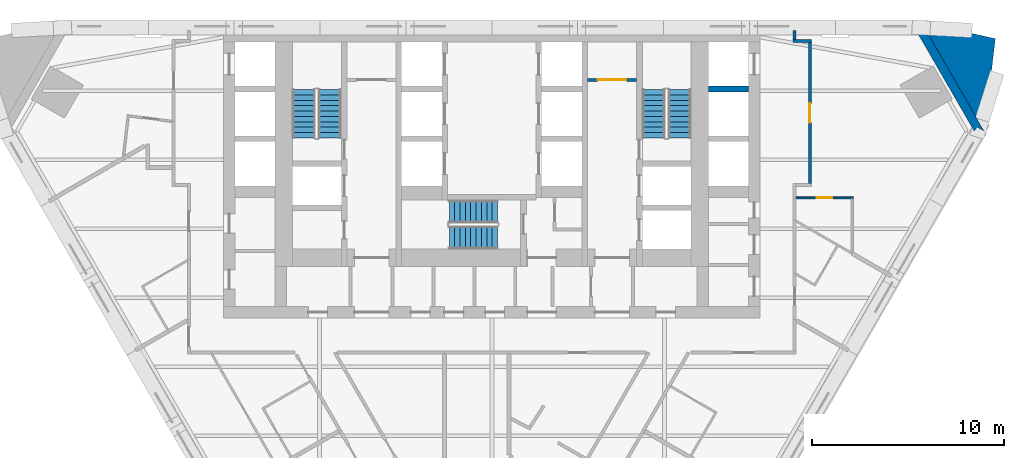
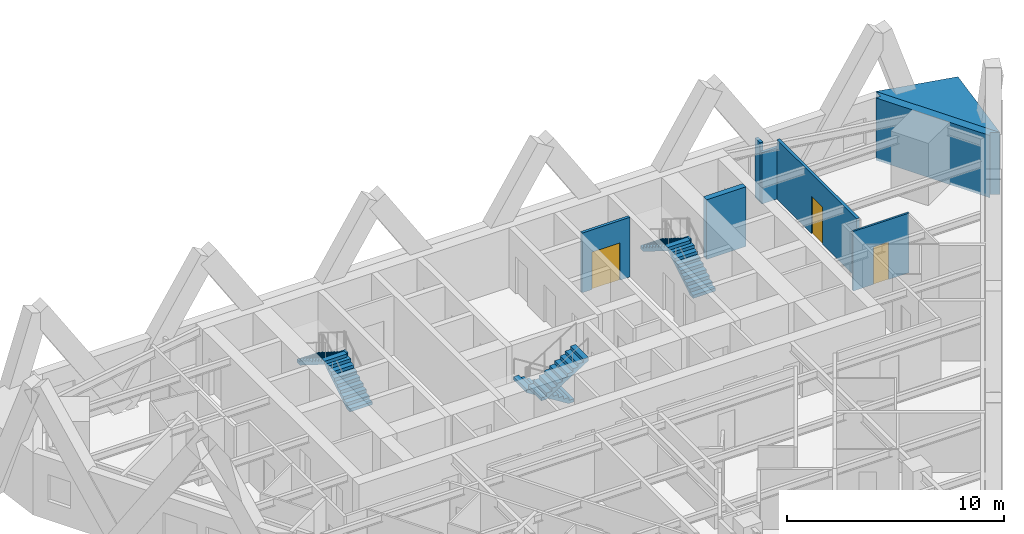
# One storey, part 10 of 12: 8 walls, 6 stair flights, 3 doors, 3 openings, 3 elements without a shape of their own.
"""IFC4 building model written with IfcOpenShell, lengths in metres."""

from ifc_helpers import new_model, si_unit, direction, frame, frame_2d, origin, place, context, subcontext, project, spatial, polyline, rectangle, outline, extrude, material, layer, layer_set, type_object, element, fill, aggregate, save


model = new_model("IFC4")

# Units and contexts
model_context = context("Model", 3, precision=1e-05, world=origin(), true_north=direction((0.0, 1.0)))
body_context = subcontext(model_context, "Body", "Model", "MODEL_VIEW")
ifc_project = project(units=[si_unit("LENGTHUNIT", "METRE"), si_unit("AREAUNIT", "SQUARE_METRE"), si_unit("VOLUMEUNIT", "CUBIC_METRE"), si_unit("PLANEANGLEUNIT", "RADIAN"), si_unit("MASSUNIT", "GRAM", prefix="KILO")], contexts=[model_context])

# Site, building, storey
site_placement = place(None, origin())
site = spatial("IfcSite", under=ifc_project, at=site_placement, CompositionType="ELEMENT")
building_placement = place(site_placement, origin())
building = spatial("IfcBuilding", under=site, at=building_placement, Name="Aloe Facet Convention Tower", CompositionType="ELEMENT")
storey_placement = place(building_placement, frame((0.0, 0.0, 70.0)))
storey = spatial("IfcBuildingStorey", under=building, at=storey_placement, Name="L16", CompositionType="ELEMENT", Elevation=70.0)

# Wall, opening, door
ifc_material_1 = material(Name="Concrete blockwork partition", Category="masonry")
ifc_layer_1 = layer(ifc_material_1, 0.14990234375)
ifc_layer_set_1 = layer_set([ifc_layer_1], Name="CR-W-PART150")
wall_type_1 = type_object("IfcWallType", Name="CR-W-PART150", PredefinedType="PARTITIONING", material=ifc_layer_set_1)
wall_1_placement = place(storey_placement, frame((85.0, 131.97509765625, 0.0), z_axis=(0.0, 0.0, 1.0), x_axis=(1.0, 0.0, 0.0)))
wall_1 = element("IfcWall", 1, at=wall_1_placement, inside=storey, type_object=wall_type_1, Name="Core partition L16-038", PredefinedType="PARTITIONING", context=body_context, shape_type="SweptSolid", body=[
    extrude(rectangle(XDim=2.550048828125, YDim=0.14990234375, at=frame_2d((1.27490234375, 0.0))), origin(), (0.0, 0.0, 1.0), 3.35009765625),
])
opening_1_placement = place(wall_1_placement, frame((0.52490234375, 0.0, 0.0)))
opening_1 = element("IfcOpeningElement", 2, at=opening_1_placement, cuts=wall_1, Name="Opening L16-CD21", PredefinedType="OPENING", context=body_context, shape_type="SweptSolid", body=[
    extrude(rectangle(XDim=1.5, YDim=2.10009765625, at=frame_2d((0.75, 1.050048828125))), frame((0.0, 0.0849609375, 0.0), z_axis=(0.0, -1.0, 0.0), x_axis=(1.0, 0.0, 0.0)), (0.0, 0.0, 1.0), 0.169921875),
])
ifc_material_2 = material(Name="Steel fire-resisting door set FD60", Category="steel")
door_type_1 = type_object("IfcDoorType", Name="CR-D-REFUGE-1500-FD60-DD", OperationType="DOUBLE_DOOR_DOUBLE_SWING", PredefinedType="DOOR", material=ifc_material_2)
door_1_placement = place(opening_1_placement, origin())
door_1 = element("IfcDoor", 3, at=door_1_placement, inside=storey, type_object=door_type_1, Name="Core door L16-CD21", OperationType="DOUBLE_DOOR_DOUBLE_SWING", OverallHeight=2.10009765625, OverallWidth=1.5, PredefinedType="DOOR", context=body_context, shape_type="SweptSolid", body=[
    extrude(rectangle(XDim=1.5, YDim=2.10009765625, at=frame_2d((0.75, 1.050048828125))), frame((0.0, 0.02490234375, 0.0), z_axis=(0.0, -1.0, 0.0), x_axis=(1.0, 0.0, 0.0)), (0.0, 0.0, 1.0), 0.050048828125),
])
fill(opening_1, door_1)

# Walls
ifc_material_3 = material(Name="Concrete C80/95", Category="concrete")
ifc_layer_2 = layer(ifc_material_3, 0.300048828125)
ifc_layer_set_2 = layer_set([ifc_layer_2], Name="CR-W-RC300-C8095")
wall_type_2 = type_object("IfcWallType", Name="CR-W-RC300-C8095", PredefinedType="SOLIDWALL", material=ifc_layer_set_2)
wall_2_placement = place(storey_placement, frame((91.300048828125, 131.5, 0.0), z_axis=(0.0, 0.0, 1.0), x_axis=(1.0, 0.0, 0.0)))
element("IfcWall", 4, at=wall_2_placement, inside=storey, type_object=wall_type_2, Name="Core wall L16-048", PredefinedType="SOLIDWALL", context=body_context, shape_type="SweptSolid", body=[
    extrude(rectangle(XDim=2.099853515625, YDim=0.300048828125, at=frame_2d((1.0498046875, 0.0))), origin(), (0.0, 0.0, 1.0), 3.35009765625),
])
ifc_material_4 = material(Name="Precast concrete C40/50", Category="concrete")
ifc_layer_3 = layer(ifc_material_4, 0.449951171875)
ifc_layer_set_3 = layer_set([ifc_layer_3], Name="EV-WALL-PIER")
wall_type_3 = type_object("IfcWallType", Name="EV-WALL-PIER", PredefinedType="SOLIDWALL", material=ifc_layer_set_3)
wall_3_placement = place(storey_placement, frame((0.0, 0.0, -0.14990234375)))
element("IfcWall", 5, at=wall_3_placement, inside=storey, type_object=wall_type_3, Name="EP-L16-C", PredefinedType="SOLIDWALL", context=body_context, shape_type="SweptSolid", body=[
    extrude(outline(polyline([(105.699951171875, 129.2841796875), (105.310302734375, 129.50927734375), (105.180419921875, 129.2841796875), (102.14013671875, 134.550048828125), (102.39990234375, 134.550048828125), (102.39990234375, 135.0), (105.699951171875, 129.2841796875)])), origin(), (0.0, 0.0, 1.0), 3.5),
])
ifc_material_5 = material(Name="Precast concrete C40/50", Category="concrete")
ifc_layer_4 = layer(ifc_material_5, 3.947998046875)
ifc_layer_set_4 = layer_set([ifc_layer_4], Name="EV-WALL-SPINE")
wall_type_4 = type_object("IfcWallType", Name="EV-WALL-SPINE", PredefinedType="SOLIDWALL", material=ifc_layer_set_4)
wall_4_placement = place(storey_placement, frame((0.0, 0.0, -0.14990234375)))
element("IfcWall", 6, at=wall_4_placement, inside=storey, type_object=wall_type_4, Name="SP-NE-L16", PredefinedType="SOLIDWALL", context=body_context, shape_type="SweptSolid", body=[
    extrude(outline(polyline([(105.699951171875, 129.2841796875), (106.270263671875, 134.128173828125), (102.39990234375, 135.0), (105.699951171875, 129.2841796875)])), origin(), (0.0, 0.0, 1.0), 3.5),
])
ifc_material_6 = material(Name="Gypsum board partition on steel studs", Category="steel")
ifc_layer_5 = layer(ifc_material_6, 0.14990234375)
ifc_layer_set_5 = layer_set([ifc_layer_5], Name="IN-W-CORR")
wall_type_5 = type_object("IfcWallType", Name="IN-W-CORR", PredefinedType="PARTITIONING", material=ifc_layer_set_5)
wall_5_placement = place(storey_placement, frame((95.72509765625, 134.0, 0.0), z_axis=(0.0, 0.0, 1.0), x_axis=(1.0, 0.0, 0.0)))
element("IfcWall", 7, at=wall_5_placement, inside=storey, type_object=wall_type_5, Name="Partition L16-W111", PredefinedType="PARTITIONING", context=body_context, shape_type="SweptSolid", body=[
    extrude(rectangle(XDim=0.949462890625, YDim=0.14990234375, at=frame_2d((0.474609375, 0.0))), origin(), (0.0, 0.0, 1.0), 2.88671875),
])

# Wall, opening, door
wall_6_placement = place(storey_placement, frame((96.599609375, 133.925048828125, 0.0), z_axis=(0.0, 0.0, 1.0), x_axis=(6.643194e-05, -0.999999997793, 0.0)))
wall_6 = element("IfcWall", 8, at=wall_6_placement, inside=storey, type_object=wall_type_5, Name="Partition L16-W112", PredefinedType="PARTITIONING", context=body_context, shape_type="SweptSolid", body=[
    extrude(rectangle(XDim=7.35009765625, YDim=0.14990234375, at=frame_2d((3.675048828125, 0.0))), origin(), (0.0, 0.0, 1.0), 3.35009765625),
])
opening_2_placement = place(wall_6_placement, frame((3.175048828125, 0.0, 0.0)))
opening_2 = element("IfcOpeningElement", 9, at=opening_2_placement, cuts=wall_6, Name="Opening L16-001", PredefinedType="OPENING", context=body_context, shape_type="SweptSolid", body=[
    extrude(rectangle(XDim=1.0, YDim=2.10009765625, at=frame_2d((0.5, 1.050048828125))), frame((0.0, 0.0849609375, 0.0), z_axis=(0.0, -1.0, 0.0), x_axis=(1.0, 0.0, 0.0)), (0.0, 0.0, 1.0), 0.169921875),
])
ifc_material_7 = material(Name="Hardwood flush door FD30S", Category="wood")
door_type_2 = type_object("IfcDoorType", Name="IN-D-WIDE", OperationType="SINGLE_SWING_LEFT", PredefinedType="DOOR", material=ifc_material_7)
door_2_placement = place(opening_2_placement, origin())
door_2 = element("IfcDoor", 10, at=door_2_placement, inside=storey, type_object=door_type_2, Name="Door L16-001", OperationType="SINGLE_SWING_LEFT", OverallHeight=2.10009765625, OverallWidth=1.0, PredefinedType="DOOR", context=body_context, shape_type="SweptSolid", body=[
    extrude(rectangle(XDim=1.0, YDim=2.10009765625, at=frame_2d((0.5, 1.050048828125))), frame((0.0, 0.02490234375, 0.0), z_axis=(0.0, -1.0, 0.0), x_axis=(1.0, 0.0, 0.0)), (0.0, 0.0, 1.0), 0.050048828125),
])
fill(opening_2, door_2)

# Wall
wall_7_placement = place(storey_placement, frame((95.800048828125, 134.074951171875, 0.0), z_axis=(0.0, 0.0, 1.0), x_axis=(0.0, 1.0, 0.0)))
element("IfcWall", 11, at=wall_7_placement, inside=storey, type_object=wall_type_5, Name="Partition L16-W113", PredefinedType="PARTITIONING", context=body_context, shape_type="SweptSolid", body=[
    extrude(rectangle(XDim=0.465087890625, YDim=0.14990234375, at=frame_2d((0.232421875, 0.0))), origin(), (0.0, 0.0, 1.0), 3.35009765625),
])

# Wall, opening, door
ifc_material_8 = material(Name="Gypsum board partition on steel studs", Category="steel")
ifc_layer_6 = layer(ifc_material_8, 0.10009765625)
ifc_layer_set_6 = layer_set([ifc_layer_6], Name="IN-W-PART")
wall_type_6 = type_object("IfcWallType", Name="IN-W-PART", PredefinedType="PARTITIONING", material=ifc_layer_set_6)
wall_8_placement = place(storey_placement, frame((95.875, 125.82177734375, 0.0), z_axis=(0.0, 0.0, 1.0), x_axis=(1.0, 0.0, 0.0)))
wall_8 = element("IfcWall", 12, at=wall_8_placement, inside=storey, type_object=wall_type_6, Name="Partition L16-W096", PredefinedType="PARTITIONING", context=body_context, shape_type="SweptSolid", body=[
    extrude(rectangle(XDim=2.97509765625, YDim=0.10009765625, at=frame_2d((1.487548828125, 0.0))), origin(), (0.0, 0.0, 1.0), 3.35009765625),
])
opening_3_placement = place(wall_8_placement, frame((1.08740234375, 0.0, 0.0)))
opening_3 = element("IfcOpeningElement", 13, at=opening_3_placement, cuts=wall_8, Name="Opening L16-015", PredefinedType="OPENING", context=body_context, shape_type="SweptSolid", body=[
    extrude(rectangle(XDim=0.800048828125, YDim=2.10009765625, at=frame_2d((0.39990234375, 1.050048828125))), frame((0.0, 0.06005859375, 0.0), z_axis=(0.0, -1.0, 0.0), x_axis=(1.0, 0.0, 0.0)), (0.0, 0.0, 1.0), 0.1201171875),
])
ifc_material_9 = material(Name="Timber flush door", Category="wood")
door_type_3 = type_object("IfcDoorType", Name="IN-D-BATH", OperationType="SINGLE_SWING_LEFT", PredefinedType="DOOR", material=ifc_material_9)
door_3_placement = place(opening_3_placement, origin())
door_3 = element("IfcDoor", 14, at=door_3_placement, inside=storey, type_object=door_type_3, Name="Door L16-015", OperationType="SINGLE_SWING_LEFT", OverallHeight=2.10009765625, OverallWidth=0.800048828125, PredefinedType="DOOR", context=body_context, shape_type="SweptSolid", body=[
    extrude(rectangle(XDim=0.800048828125, YDim=2.10009765625, at=frame_2d((0.39990234375, 1.050048828125))), frame((0.0, 0.02490234375, 0.0), z_axis=(0.0, -1.0, 0.0), x_axis=(1.0, 0.0, 0.0)), (0.0, 0.0, 1.0), 0.050048828125),
])
fill(opening_3, door_3)

# Stair, stair flights
ifc_material_10 = material(Name="Concrete C50/60", Category="concrete")
stair_type = type_object("IfcStairType", Name="CR-ST-20R", PredefinedType="HALF_TURN_STAIR", material=ifc_material_10)
stair_1_placement = place(storey_placement, origin())
stair_1 = element("IfcStair", 15, at=stair_1_placement, inside=storey, type_object=stair_type, Name="L16 Protected exit stair ST1", PredefinedType="HALF_TURN_STAIR")
ifc_material_11 = material(Name="Concrete C50/60", Category="concrete")
stair_flight_type = type_object("IfcStairFlightType", Name="CR-SFL-20R", PredefinedType="STRAIGHT", material=ifc_material_11)
stair_flight_1_placement = place(storey_placement, frame((71.550048828125, 128.949951171875, 0.0), z_axis=(0.0, 0.0, 1.0), x_axis=(0.0, 1.0, 0.0)))
stair_flight_1 = element("IfcStairFlight", 16, at=stair_flight_1_placement, type_object=stair_flight_type, Name="ST1 flight 1", NumberOfRisers=10, NumberOfTreads=9, PredefinedType="STRAIGHT", RiserHeight=0.175, TreadLength=0.28, context=body_context, shape_type="SweptSolid", body=[
    extrude(outline(polyline([(0.0, 0.0), (0.0, 0.175048828125), (0.280029296875, 0.175048828125), (0.280029296875, 0.35009765625), (0.56005859375, 0.35009765625), (0.56005859375, 0.52490234375), (0.840087890625, 0.52490234375), (0.840087890625, 0.699951171875), (1.1201171875, 0.699951171875), (1.1201171875, 0.875), (1.39990234375, 0.875), (1.39990234375, 1.050048828125), (1.679931640625, 1.050048828125), (1.679931640625, 1.22509765625), (1.9599609375, 1.22509765625), (1.9599609375, 1.39990234375), (2.239990234375, 1.39990234375), (2.239990234375, 1.574951171875), (2.52001953125, 1.574951171875), (2.52001953125, 1.75), (2.52001953125, 1.398193359375), (0.28271484375, 0.0), (0.0, 0.0)])), frame((0.0, 0.60009765625, 0.0), z_axis=(0.0, -1.0, 0.0), x_axis=(1.0, 0.0, 0.0)), (0.0, 0.0, 1.0), 1.199951171875),
])
stair_flight_2_placement = place(storey_placement, frame((70.199951171875, 131.469970703125, 1.75), z_axis=(0.0, 0.0, 1.0), x_axis=(0.0, -1.0, 0.0)))
stair_flight_2 = element("IfcStairFlight", 17, at=stair_flight_2_placement, type_object=stair_flight_type, Name="ST1 flight 2", NumberOfRisers=10, NumberOfTreads=9, PredefinedType="STRAIGHT", RiserHeight=0.175, TreadLength=0.28, context=body_context, shape_type="SweptSolid", body=[
    extrude(outline(polyline([(0.0, 0.0), (0.0, 0.175048828125), (0.280029296875, 0.175048828125), (0.280029296875, 0.35009765625), (0.56005859375, 0.35009765625), (0.56005859375, 0.52490234375), (0.840087890625, 0.52490234375), (0.840087890625, 0.699951171875), (1.1201171875, 0.699951171875), (1.1201171875, 0.875), (1.39990234375, 0.875), (1.39990234375, 1.050048828125), (1.679931640625, 1.050048828125), (1.679931640625, 1.22509765625), (1.9599609375, 1.22509765625), (1.9599609375, 1.39990234375), (2.239990234375, 1.39990234375), (2.239990234375, 1.574951171875), (2.52001953125, 1.574951171875), (2.52001953125, 1.75), (2.52001953125, 1.398193359375), (0.28271484375, 0.0), (0.0, 0.0)])), frame((0.0, 0.60009765625, 0.0), z_axis=(0.0, -1.0, 0.0), x_axis=(1.0, 0.0, 0.0)), (0.0, 0.0, 1.0), 1.199951171875),
])
aggregate(stair_1, [stair_flight_1, stair_flight_2])

stair_2_placement = place(storey_placement, origin())
stair_2 = element("IfcStair", 18, at=stair_2_placement, inside=storey, type_object=stair_type, Name="L16 Protected exit stair ST2", PredefinedType="HALF_TURN_STAIR")
stair_flight_3_placement = place(storey_placement, frame((89.800048828125, 128.949951171875, 0.0), z_axis=(0.0, 0.0, 1.0), x_axis=(0.0, 1.0, 0.0)))
stair_flight_3 = element("IfcStairFlight", 19, at=stair_flight_3_placement, type_object=stair_flight_type, Name="ST2 flight 1", NumberOfRisers=10, NumberOfTreads=9, PredefinedType="STRAIGHT", RiserHeight=0.175, TreadLength=0.28, context=body_context, shape_type="SweptSolid", body=[
    extrude(outline(polyline([(0.0, 0.0), (0.0, 0.175048828125), (0.280029296875, 0.175048828125), (0.280029296875, 0.35009765625), (0.56005859375, 0.35009765625), (0.56005859375, 0.52490234375), (0.840087890625, 0.52490234375), (0.840087890625, 0.699951171875), (1.1201171875, 0.699951171875), (1.1201171875, 0.875), (1.39990234375, 0.875), (1.39990234375, 1.050048828125), (1.679931640625, 1.050048828125), (1.679931640625, 1.22509765625), (1.9599609375, 1.22509765625), (1.9599609375, 1.39990234375), (2.239990234375, 1.39990234375), (2.239990234375, 1.574951171875), (2.52001953125, 1.574951171875), (2.52001953125, 1.75), (2.52001953125, 1.398193359375), (0.28271484375, 0.0), (0.0, 0.0)])), frame((0.0, 0.60009765625, 0.0), z_axis=(0.0, -1.0, 0.0), x_axis=(1.0, 0.0, 0.0)), (0.0, 0.0, 1.0), 1.199951171875),
])
stair_flight_4_placement = place(storey_placement, frame((88.449951171875, 131.469970703125, 1.75), z_axis=(0.0, 0.0, 1.0), x_axis=(0.0, -1.0, 0.0)))
stair_flight_4 = element("IfcStairFlight", 20, at=stair_flight_4_placement, type_object=stair_flight_type, Name="ST2 flight 2", NumberOfRisers=10, NumberOfTreads=9, PredefinedType="STRAIGHT", RiserHeight=0.175, TreadLength=0.28, context=body_context, shape_type="SweptSolid", body=[
    extrude(outline(polyline([(0.0, 0.0), (0.0, 0.175048828125), (0.280029296875, 0.175048828125), (0.280029296875, 0.35009765625), (0.56005859375, 0.35009765625), (0.56005859375, 0.52490234375), (0.840087890625, 0.52490234375), (0.840087890625, 0.699951171875), (1.1201171875, 0.699951171875), (1.1201171875, 0.875), (1.39990234375, 0.875), (1.39990234375, 1.050048828125), (1.679931640625, 1.050048828125), (1.679931640625, 1.22509765625), (1.9599609375, 1.22509765625), (1.9599609375, 1.39990234375), (2.239990234375, 1.39990234375), (2.239990234375, 1.574951171875), (2.52001953125, 1.574951171875), (2.52001953125, 1.75), (2.52001953125, 1.398193359375), (0.28271484375, 0.0), (0.0, 0.0)])), frame((0.0, 0.60009765625, 0.0), z_axis=(0.0, -1.0, 0.0), x_axis=(1.0, 0.0, 0.0)), (0.0, 0.0, 1.0), 1.199951171875),
])
aggregate(stair_2, [stair_flight_3, stair_flight_4])

stair_3_placement = place(storey_placement, origin())
stair_3 = element("IfcStair", 21, at=stair_3_placement, inside=storey, type_object=stair_type, Name="L16 Protected exit stair ST3", PredefinedType="HALF_TURN_STAIR")
stair_flight_5_placement = place(storey_placement, frame((80.300048828125, 125.10009765625, 0.0), z_axis=(0.0, 0.0, 1.0), x_axis=(-1.0, 0.0, 0.0)))
stair_flight_5 = element("IfcStairFlight", 22, at=stair_flight_5_placement, type_object=stair_flight_type, Name="ST3 flight 1", NumberOfRisers=10, NumberOfTreads=9, PredefinedType="STRAIGHT", RiserHeight=0.175, TreadLength=0.28, context=body_context, shape_type="SweptSolid", body=[
    extrude(outline(polyline([(0.0, 0.0), (0.0, 0.175048828125), (0.280029296875, 0.175048828125), (0.280029296875, 0.35009765625), (0.56005859375, 0.35009765625), (0.56005859375, 0.52490234375), (0.840087890625, 0.52490234375), (0.840087890625, 0.699951171875), (1.1201171875, 0.699951171875), (1.1201171875, 0.875), (1.39990234375, 0.875), (1.39990234375, 1.050048828125), (1.679931640625, 1.050048828125), (1.679931640625, 1.22509765625), (1.9599609375, 1.22509765625), (1.9599609375, 1.39990234375), (2.239990234375, 1.39990234375), (2.239990234375, 1.574951171875), (2.52001953125, 1.574951171875), (2.52001953125, 1.75), (2.52001953125, 1.398193359375), (0.28271484375, 0.0), (0.0, 0.0)])), frame((0.0, 0.60009765625, 0.0), z_axis=(0.0, -1.0, 0.0), x_axis=(1.0, 0.0, 0.0)), (0.0, 0.0, 1.0), 1.199951171875),
])
stair_flight_6_placement = place(storey_placement, frame((77.780029296875, 123.75, 1.75), z_axis=(0.0, 0.0, 1.0), x_axis=(1.0, 0.0, 0.0)))
stair_flight_6 = element("IfcStairFlight", 23, at=stair_flight_6_placement, type_object=stair_flight_type, Name="ST3 flight 2", NumberOfRisers=10, NumberOfTreads=9, PredefinedType="STRAIGHT", RiserHeight=0.175, TreadLength=0.28, context=body_context, shape_type="SweptSolid", body=[
    extrude(outline(polyline([(0.0, 0.0), (0.0, 0.175048828125), (0.280029296875, 0.175048828125), (0.280029296875, 0.35009765625), (0.56005859375, 0.35009765625), (0.56005859375, 0.52490234375), (0.840087890625, 0.52490234375), (0.840087890625, 0.699951171875), (1.1201171875, 0.699951171875), (1.1201171875, 0.875), (1.39990234375, 0.875), (1.39990234375, 1.050048828125), (1.679931640625, 1.050048828125), (1.679931640625, 1.22509765625), (1.9599609375, 1.22509765625), (1.9599609375, 1.39990234375), (2.239990234375, 1.39990234375), (2.239990234375, 1.574951171875), (2.52001953125, 1.574951171875), (2.52001953125, 1.75), (2.52001953125, 1.398193359375), (0.28271484375, 0.0), (0.0, 0.0)])), frame((0.0, 0.60009765625, 0.0), z_axis=(0.0, -1.0, 0.0), x_axis=(1.0, 0.0, 0.0)), (0.0, 0.0, 1.0), 1.199951171875),
])
aggregate(stair_3, [stair_flight_5, stair_flight_6])

save(model, "model.ifc")
